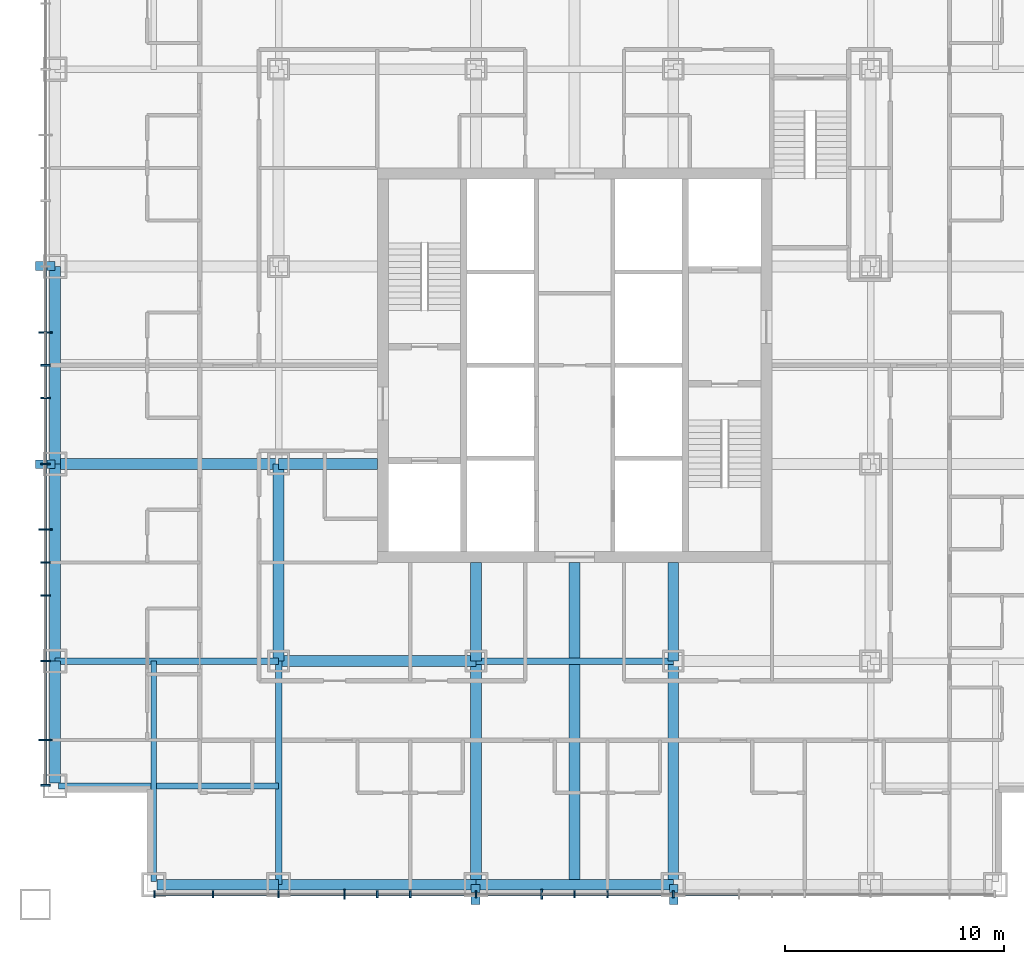
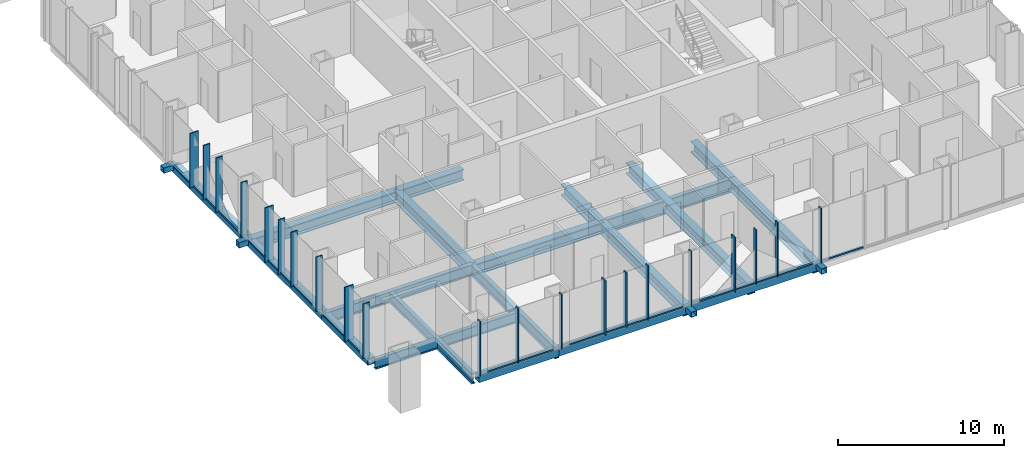
# One storey, part 2 of 16: 46 members, 20 beams, 2 elements without a shape of their own.
"""IFC4 building model written with IfcOpenShell, lengths in metres."""

from ifc_helpers import new_model, si_unit, direction, frame, origin, origin_2d, place, context, subcontext, project, spatial, rectangle, hollow_rectangle, i_section, extrude, material, layer, layer_set, material_profile, profile_set, type_object, element, aggregate, save


model = new_model("IFC4")

# Units and contexts
model_context = context("Model", 3, precision=1e-05, world=origin(), true_north=direction((0.0, 1.0)))
body_context = subcontext(model_context, "Body", "Model", "MODEL_VIEW")
ifc_project = project(units=[si_unit("LENGTHUNIT", "METRE"), si_unit("AREAUNIT", "SQUARE_METRE"), si_unit("VOLUMEUNIT", "CUBIC_METRE"), si_unit("PLANEANGLEUNIT", "RADIAN"), si_unit("MASSUNIT", "GRAM", prefix="KILO")], contexts=[model_context])

# Site, building, storey
site_placement = place(None, origin())
site = spatial("IfcSite", under=ifc_project, at=site_placement, CompositionType="ELEMENT")
building_placement = place(site_placement, origin())
building = spatial("IfcBuilding", under=site, at=building_placement, Name="Malebo Sky Hospital", CompositionType="ELEMENT")
storey_placement = place(building_placement, frame((0.0, 0.0, 116.0)))
storey = spatial("IfcBuildingStorey", under=building, at=storey_placement, Name="L27", CompositionType="ELEMENT", Elevation=116.0)

# Curtain wall, members
ifc_material_1 = material(Name="Anodised aluminium, natural silver", Category="aluminium")
ifc_layer_1 = layer(ifc_material_1, 0.25)
ifc_layer_set_1 = layer_set([ifc_layer_1], Name="WARD CURTAIN WALL EAST AND WEST")
curtain_wall_type_1 = type_object("IfcCurtainWallType", Name="WARD CURTAIN WALL EAST AND WEST", PredefinedType="NOTDEFINED", material=ifc_layer_set_1)
curtain_wall_1_placement = place(storey_placement, origin())
curtain_wall_1 = element("IfcCurtainWall", 1, at=curtain_wall_1_placement, inside=storey, type_object=curtain_wall_type_1, Name="EW curtain wall W", PredefinedType="NOTDEFINED")
ifc_material_profile_1 = material_profile(ifc_material_1, rectangle(XDim=0.14990234375, YDim=0.10009765625, at=origin_2d()), Name="ALUMINIUM TRANSOM 150x100")
ifc_profile_set_1 = profile_set([ifc_material_profile_1], Name="Anodised aluminium, natural silver")
member_type_1 = type_object("IfcMemberType", Name="ALUMINIUM TRANSOM 150x100", PredefinedType="USERDEFINED", material=ifc_profile_set_1)
member_1_placement = place(storey_placement, frame((35.864990234375, 42.875, 0.050048828125), z_axis=(0.0, 1.0, 0.0), x_axis=(-1.0, 0.0, 0.0)))
member_1 = element("IfcMember", 2, at=member_1_placement, type_object=member_type_1, Name="Transom 1", ObjectType="TRANSOM", PredefinedType="USERDEFINED", context=body_context, shape_type="SweptSolid", body=[
    extrude(rectangle(XDim=0.14990234375, YDim=0.10009765625, at=origin_2d()), origin(), (0.0, 0.0, 1.0), 1.987548828125),
])
member_2_placement = place(storey_placement, frame((35.864990234375, 44.9375, 0.050048828125), z_axis=(0.0, 1.0, 0.0), x_axis=(-1.0, 0.0, 0.0)))
member_2 = element("IfcMember", 3, at=member_2_placement, type_object=member_type_1, Name="Transom 2", ObjectType="TRANSOM", PredefinedType="USERDEFINED", context=body_context, shape_type="SweptSolid", body=[
    extrude(rectangle(XDim=0.14990234375, YDim=0.10009765625, at=origin_2d()), origin(), (0.0, 0.0, 1.0), 3.52490234375),
])
member_3_placement = place(storey_placement, frame((35.864990234375, 48.53759765625, 0.050048828125), z_axis=(0.0, 1.0, 0.0), x_axis=(-1.0, 0.0, 0.0)))
member_3 = element("IfcMember", 4, at=member_3_placement, type_object=member_type_1, Name="Transom 3", ObjectType="TRANSOM", PredefinedType="USERDEFINED", context=body_context, shape_type="SweptSolid", body=[
    extrude(rectangle(XDim=0.14990234375, YDim=0.10009765625, at=origin_2d()), origin(), (0.0, 0.0, 1.0), 2.9248046875),
])
member_4_placement = place(storey_placement, frame((35.864990234375, 51.53759765625, 0.050048828125), z_axis=(0.0, 1.0, 0.0), x_axis=(-1.0, 0.0, 0.0)))
member_4 = element("IfcMember", 5, at=member_4_placement, type_object=member_type_1, Name="Transom 4", ObjectType="TRANSOM", PredefinedType="USERDEFINED", context=body_context, shape_type="SweptSolid", body=[
    extrude(rectangle(XDim=0.14990234375, YDim=0.10009765625, at=origin_2d()), origin(), (0.0, 0.0, 1.0), 1.4248046875),
])
member_5_placement = place(storey_placement, frame((35.864990234375, 53.03759765625, 0.050048828125), z_axis=(0.0, 1.0, 0.0), x_axis=(-1.0, 0.0, 0.0)))
member_5 = element("IfcMember", 6, at=member_5_placement, type_object=member_type_1, Name="Transom 5", ObjectType="TRANSOM", PredefinedType="USERDEFINED", context=body_context, shape_type="SweptSolid", body=[
    extrude(rectangle(XDim=0.14990234375, YDim=0.10009765625, at=origin_2d()), origin(), (0.0, 0.0, 1.0), 1.4248046875),
])
member_6_placement = place(storey_placement, frame((35.864990234375, 54.53759765625, 0.050048828125), z_axis=(0.0, 1.0, 0.0), x_axis=(-1.0, 0.0, 0.0)))
member_6 = element("IfcMember", 7, at=member_6_placement, type_object=member_type_1, Name="Transom 6", ObjectType="TRANSOM", PredefinedType="USERDEFINED", context=body_context, shape_type="SweptSolid", body=[
    extrude(rectangle(XDim=0.14990234375, YDim=0.10009765625, at=origin_2d()), origin(), (0.0, 0.0, 1.0), 2.9248046875),
])
member_7_placement = place(storey_placement, frame((35.864990234375, 57.53759765625, 0.050048828125), z_axis=(0.0, 1.0, 0.0), x_axis=(-1.0, 0.0, 0.0)))
member_7 = element("IfcMember", 8, at=member_7_placement, type_object=member_type_1, Name="Transom 7", ObjectType="TRANSOM", PredefinedType="USERDEFINED", context=body_context, shape_type="SweptSolid", body=[
    extrude(rectangle(XDim=0.14990234375, YDim=0.10009765625, at=origin_2d()), origin(), (0.0, 0.0, 1.0), 2.9248046875),
])
member_8_placement = place(storey_placement, frame((35.864990234375, 60.53759765625, 0.050048828125), z_axis=(0.0, 1.0, 0.0), x_axis=(-1.0, 0.0, 0.0)))
member_8 = element("IfcMember", 9, at=member_8_placement, type_object=member_type_1, Name="Transom 8", ObjectType="TRANSOM", PredefinedType="USERDEFINED", context=body_context, shape_type="SweptSolid", body=[
    extrude(rectangle(XDim=0.14990234375, YDim=0.10009765625, at=origin_2d()), origin(), (0.0, 0.0, 1.0), 1.4248046875),
])
member_9_placement = place(storey_placement, frame((35.864990234375, 62.03759765625, 0.050048828125), z_axis=(0.0, 1.0, 0.0), x_axis=(-1.0, 0.0, 0.0)))
member_9 = element("IfcMember", 10, at=member_9_placement, type_object=member_type_1, Name="Transom 9", ObjectType="TRANSOM", PredefinedType="USERDEFINED", context=body_context, shape_type="SweptSolid", body=[
    extrude(rectangle(XDim=0.14990234375, YDim=0.10009765625, at=origin_2d()), origin(), (0.0, 0.0, 1.0), 1.4248046875),
])
member_10_placement = place(storey_placement, frame((35.864990234375, 63.53759765625, 0.050048828125), z_axis=(0.0, 1.0, 0.0), x_axis=(-1.0, 0.0, 0.0)))
member_10 = element("IfcMember", 11, at=member_10_placement, type_object=member_type_1, Name="Transom 10", ObjectType="TRANSOM", PredefinedType="USERDEFINED", context=body_context, shape_type="SweptSolid", body=[
    extrude(rectangle(XDim=0.14990234375, YDim=0.10009765625, at=origin_2d()), origin(), (0.0, 0.0, 1.0), 2.9248046875),
])

ifc_layer_2 = layer(ifc_material_1, 0.25)
ifc_layer_set_2 = layer_set([ifc_layer_2], Name="WARD CURTAIN WALL NORTH AND SOUTH")
curtain_wall_type_2 = type_object("IfcCurtainWallType", Name="WARD CURTAIN WALL NORTH AND SOUTH", PredefinedType="NOTDEFINED", material=ifc_layer_set_2)
curtain_wall_2_placement = place(storey_placement, origin())
curtain_wall_2 = element("IfcCurtainWall", 12, at=curtain_wall_2_placement, inside=storey, type_object=curtain_wall_type_2, Name="NS curtain wall S", PredefinedType="NOTDEFINED")
member_11_placement = place(storey_placement, frame((67.46240234375, 37.864990234375, 0.050048828125), z_axis=(-1.0, 0.0, 0.0), x_axis=(0.0, -1.0, 0.0)))
member_11 = element("IfcMember", 13, at=member_11_placement, type_object=member_type_1, Name="Transom 6", ObjectType="TRANSOM", PredefinedType="USERDEFINED", context=body_context, shape_type="SweptSolid", body=[
    extrude(rectangle(XDim=0.14990234375, YDim=0.10009765625, at=origin_2d()), origin(), (0.0, 0.0, 1.0), 2.9248046875),
])
member_12_placement = place(storey_placement, frame((64.46240234375, 37.864990234375, 0.050048828125), z_axis=(-1.0, 0.0, 0.0), x_axis=(0.0, -1.0, 0.0)))
member_12 = element("IfcMember", 14, at=member_12_placement, type_object=member_type_1, Name="Transom 7", ObjectType="TRANSOM", PredefinedType="USERDEFINED", context=body_context, shape_type="SweptSolid", body=[
    extrude(rectangle(XDim=0.14990234375, YDim=0.10009765625, at=origin_2d()), origin(), (0.0, 0.0, 1.0), 2.9248046875),
])
member_13_placement = place(storey_placement, frame((61.46240234375, 37.864990234375, 0.050048828125), z_axis=(-1.0, 0.0, 0.0), x_axis=(0.0, -1.0, 0.0)))
member_13 = element("IfcMember", 15, at=member_13_placement, type_object=member_type_1, Name="Transom 8", ObjectType="TRANSOM", PredefinedType="USERDEFINED", context=body_context, shape_type="SweptSolid", body=[
    extrude(rectangle(XDim=0.14990234375, YDim=0.10009765625, at=origin_2d()), origin(), (0.0, 0.0, 1.0), 1.4248046875),
])
member_14_placement = place(storey_placement, frame((59.96240234375, 37.864990234375, 0.050048828125), z_axis=(-1.0, 0.0, 0.0), x_axis=(0.0, -1.0, 0.0)))
member_14 = element("IfcMember", 16, at=member_14_placement, type_object=member_type_1, Name="Transom 9", ObjectType="TRANSOM", PredefinedType="USERDEFINED", context=body_context, shape_type="SweptSolid", body=[
    extrude(rectangle(XDim=0.14990234375, YDim=0.10009765625, at=origin_2d()), origin(), (0.0, 0.0, 1.0), 1.4248046875),
])
member_15_placement = place(storey_placement, frame((58.46240234375, 37.864990234375, 0.050048828125), z_axis=(-1.0, 0.0, 0.0), x_axis=(0.0, -1.0, 0.0)))
member_15 = element("IfcMember", 17, at=member_15_placement, type_object=member_type_1, Name="Transom 10", ObjectType="TRANSOM", PredefinedType="USERDEFINED", context=body_context, shape_type="SweptSolid", body=[
    extrude(rectangle(XDim=0.14990234375, YDim=0.10009765625, at=origin_2d()), origin(), (0.0, 0.0, 1.0), 2.9248046875),
])
member_16_placement = place(storey_placement, frame((55.46240234375, 37.864990234375, 0.050048828125), z_axis=(-1.0, 0.0, 0.0), x_axis=(0.0, -1.0, 0.0)))
member_16 = element("IfcMember", 18, at=member_16_placement, type_object=member_type_1, Name="Transom 11", ObjectType="TRANSOM", PredefinedType="USERDEFINED", context=body_context, shape_type="SweptSolid", body=[
    extrude(rectangle(XDim=0.14990234375, YDim=0.10009765625, at=origin_2d()), origin(), (0.0, 0.0, 1.0), 2.9248046875),
])
member_17_placement = place(storey_placement, frame((52.46240234375, 37.864990234375, 0.050048828125), z_axis=(-1.0, 0.0, 0.0), x_axis=(0.0, -1.0, 0.0)))
member_17 = element("IfcMember", 19, at=member_17_placement, type_object=member_type_1, Name="Transom 12", ObjectType="TRANSOM", PredefinedType="USERDEFINED", context=body_context, shape_type="SweptSolid", body=[
    extrude(rectangle(XDim=0.14990234375, YDim=0.10009765625, at=origin_2d()), origin(), (0.0, 0.0, 1.0), 1.4248046875),
])
member_18_placement = place(storey_placement, frame((50.96240234375, 37.864990234375, 0.050048828125), z_axis=(-1.0, 0.0, 0.0), x_axis=(0.0, -1.0, 0.0)))
member_18 = element("IfcMember", 20, at=member_18_placement, type_object=member_type_1, Name="Transom 13", ObjectType="TRANSOM", PredefinedType="USERDEFINED", context=body_context, shape_type="SweptSolid", body=[
    extrude(rectangle(XDim=0.14990234375, YDim=0.10009765625, at=origin_2d()), origin(), (0.0, 0.0, 1.0), 1.4248046875),
])
member_19_placement = place(storey_placement, frame((49.46240234375, 37.864990234375, 0.050048828125), z_axis=(-1.0, 0.0, 0.0), x_axis=(0.0, -1.0, 0.0)))
member_19 = element("IfcMember", 21, at=member_19_placement, type_object=member_type_1, Name="Transom 14", ObjectType="TRANSOM", PredefinedType="USERDEFINED", context=body_context, shape_type="SweptSolid", body=[
    extrude(rectangle(XDim=0.14990234375, YDim=0.10009765625, at=origin_2d()), origin(), (0.0, 0.0, 1.0), 2.9248046875),
])
member_20_placement = place(storey_placement, frame((46.46240234375, 37.864990234375, 0.050048828125), z_axis=(-1.0, 0.0, 0.0), x_axis=(0.0, -1.0, 0.0)))
member_20 = element("IfcMember", 22, at=member_20_placement, type_object=member_type_1, Name="Transom 15", ObjectType="TRANSOM", PredefinedType="USERDEFINED", context=body_context, shape_type="SweptSolid", body=[
    extrude(rectangle(XDim=0.14990234375, YDim=0.10009765625, at=origin_2d()), origin(), (0.0, 0.0, 1.0), 2.9248046875),
])
member_21_placement = place(storey_placement, frame((43.46240234375, 37.864990234375, 0.050048828125), z_axis=(-1.0, 0.0, 0.0), x_axis=(0.0, -1.0, 0.0)))
member_21 = element("IfcMember", 23, at=member_21_placement, type_object=member_type_1, Name="Transom 16", ObjectType="TRANSOM", PredefinedType="USERDEFINED", context=body_context, shape_type="SweptSolid", body=[
    extrude(rectangle(XDim=0.14990234375, YDim=0.10009765625, at=origin_2d()), origin(), (0.0, 0.0, 1.0), 2.58740234375),
])

# Members
ifc_material_2 = material(Name="Steel S355", Category="steel")
ifc_material_profile_2 = material_profile(ifc_material_2, hollow_rectangle(XDim=0.39990234375, YDim=0.39990234375, WallThickness=0.02001953125, at=origin_2d()), Name="SHS 400x20")
ifc_profile_set_2 = profile_set([ifc_material_profile_2], Name="Steel S355")
member_type_2 = type_object("IfcMemberType", Name="BRACE STRUT SHS 400x20", PredefinedType="STRUT", material=ifc_profile_set_2)
for number, where, z_axis, x_axis, name in (
    (24, (55.48046875, 37.39990234375, -0.39990234375), (0.0, 1.0, 0.0), (-1.0, 0.0, 0.0), "Brace strut BS1 L27"),
    (25, (64.51953125, 37.39990234375, -0.39990234375), (0.0, 1.0, 0.0), (-1.0, 0.0, 0.0), "Brace strut BS2 L27"),
    (26, (35.39990234375, 66.51953125, -0.39990234375), (1.0, 0.0, 0.0), (0.0, 1.0, 0.0), "Brace strut BW1 L27"),
    (27, (35.39990234375, 57.48046875, -0.39990234375), (1.0, 0.0, 0.0), (0.0, 1.0, 0.0), "Brace strut BW2 L27"),
):
    element("IfcMember", number, at=place(storey_placement, frame(where, z_axis=z_axis, x_axis=x_axis)), inside=storey, type_object=member_type_2, Name=name, PredefinedType="STRUT", context=body_context, shape_type="SweptSolid", body=[
        extrude(hollow_rectangle(XDim=0.39990234375, YDim=0.39990234375, WallThickness=0.02001953125, at=origin_2d()), origin(), (0.0, 0.0, 1.0), 0.900146484375),
    ])

# Member
ifc_material_profile_3 = material_profile(ifc_material_1, rectangle(XDim=0.074951171875, YDim=0.300048828125, at=origin_2d()), Name="CW1 ALUMINIUM FIN MULLION 75x300")
ifc_profile_set_3 = profile_set([ifc_material_profile_3], Name="Anodised aluminium, natural silver")
member_type_3 = type_object("IfcMemberType", Name="CW1 ALUMINIUM FIN MULLION 75x300", PredefinedType="MULLION", material=ifc_profile_set_3)
member_22_placement = place(storey_placement, frame((64.5, 37.864990234375, 0.0), z_axis=(0.0, 0.0, 1.0), x_axis=(-1.0, 0.0, 0.0)))
member_22 = element("IfcMember", 28, at=member_22_placement, type_object=member_type_3, Name="Fin mullion 7", PredefinedType="MULLION", context=body_context, shape_type="SweptSolid", body=[
    extrude(rectangle(XDim=0.074951171875, YDim=0.300048828125, at=origin_2d()), origin(), (0.0, 0.0, 1.0), 4.0),
])

member_23_placement = place(storey_placement, frame((61.5, 37.864990234375, 0.0), z_axis=(0.0, 0.0, 1.0), x_axis=(-1.0, 0.0, 0.0)))
member_23 = element("IfcMember", 29, at=member_23_placement, type_object=member_type_3, Name="Fin mullion 8", PredefinedType="MULLION", context=body_context, shape_type="SweptSolid", body=[
    extrude(rectangle(XDim=0.074951171875, YDim=0.300048828125, at=origin_2d()), origin(), (0.0, 0.0, 1.0), 4.0),
])

member_24_placement = place(storey_placement, frame((60.0, 37.864990234375, 0.0), z_axis=(0.0, 0.0, 1.0), x_axis=(-1.0, 0.0, 0.0)))
member_24 = element("IfcMember", 30, at=member_24_placement, type_object=member_type_3, Name="Fin mullion 9", PredefinedType="MULLION", context=body_context, shape_type="SweptSolid", body=[
    extrude(rectangle(XDim=0.074951171875, YDim=0.300048828125, at=origin_2d()), origin(), (0.0, 0.0, 1.0), 4.0),
])

member_25_placement = place(storey_placement, frame((55.5, 37.864990234375, 0.0), z_axis=(0.0, 0.0, 1.0), x_axis=(-1.0, 0.0, 0.0)))
member_25 = element("IfcMember", 31, at=member_25_placement, type_object=member_type_3, Name="Fin mullion 11", PredefinedType="MULLION", context=body_context, shape_type="SweptSolid", body=[
    extrude(rectangle(XDim=0.074951171875, YDim=0.300048828125, at=origin_2d()), origin(), (0.0, 0.0, 1.0), 4.0),
])

member_26_placement = place(storey_placement, frame((52.5, 37.864990234375, 0.0), z_axis=(0.0, 0.0, 1.0), x_axis=(-1.0, 0.0, 0.0)))
member_26 = element("IfcMember", 32, at=member_26_placement, type_object=member_type_3, Name="Fin mullion 12", PredefinedType="MULLION", context=body_context, shape_type="SweptSolid", body=[
    extrude(rectangle(XDim=0.074951171875, YDim=0.300048828125, at=origin_2d()), origin(), (0.0, 0.0, 1.0), 4.0),
])

member_27_placement = place(storey_placement, frame((51.0, 37.864990234375, 0.0), z_axis=(0.0, 0.0, 1.0), x_axis=(-1.0, 0.0, 0.0)))
member_27 = element("IfcMember", 33, at=member_27_placement, type_object=member_type_3, Name="Fin mullion 13", PredefinedType="MULLION", context=body_context, shape_type="SweptSolid", body=[
    extrude(rectangle(XDim=0.074951171875, YDim=0.300048828125, at=origin_2d()), origin(), (0.0, 0.0, 1.0), 4.0),
])

member_28_placement = place(storey_placement, frame((46.5, 37.864990234375, 0.0), z_axis=(0.0, 0.0, 1.0), x_axis=(-1.0, 0.0, 0.0)))
member_28 = element("IfcMember", 34, at=member_28_placement, type_object=member_type_3, Name="Fin mullion 15", PredefinedType="MULLION", context=body_context, shape_type="SweptSolid", body=[
    extrude(rectangle(XDim=0.074951171875, YDim=0.300048828125, at=origin_2d()), origin(), (0.0, 0.0, 1.0), 4.0),
])

member_29_placement = place(storey_placement, frame((43.5, 37.864990234375, 0.0), z_axis=(0.0, 0.0, 1.0), x_axis=(-1.0, 0.0, 0.0)))
member_29 = element("IfcMember", 35, at=member_29_placement, type_object=member_type_3, Name="Fin mullion 16", PredefinedType="MULLION", context=body_context, shape_type="SweptSolid", body=[
    extrude(rectangle(XDim=0.074951171875, YDim=0.300048828125, at=origin_2d()), origin(), (0.0, 0.0, 1.0), 4.0),
])

member_30_placement = place(storey_placement, frame((40.83740234375, 37.864990234375, 0.0), z_axis=(0.0, 0.0, 1.0), x_axis=(-1.0, 0.0, 0.0)))
member_30 = element("IfcMember", 36, at=member_30_placement, type_object=member_type_3, Name="Fin mullion 17", PredefinedType="MULLION", context=body_context, shape_type="SweptSolid", body=[
    extrude(rectangle(XDim=0.074951171875, YDim=0.300048828125, at=origin_2d()), origin(), (0.0, 0.0, 1.0), 4.0),
])

ifc_material_profile_4 = material_profile(ifc_material_1, rectangle(XDim=0.074951171875, YDim=0.449951171875, at=origin_2d()), Name="CW1 ALUMINIUM FIN MULLION 75x450")
ifc_profile_set_4 = profile_set([ifc_material_profile_4], Name="Anodised aluminium, natural silver")
member_type_4 = type_object("IfcMemberType", Name="CW1 ALUMINIUM FIN MULLION 75x450", PredefinedType="MULLION", material=ifc_profile_set_4)
member_31_placement = place(storey_placement, frame((58.5, 37.864990234375, 0.0), z_axis=(0.0, 0.0, 1.0), x_axis=(-1.0, 0.0, 0.0)))
member_31 = element("IfcMember", 37, at=member_31_placement, type_object=member_type_4, Name="Fin mullion 10", PredefinedType="MULLION", context=body_context, shape_type="SweptSolid", body=[
    extrude(rectangle(XDim=0.074951171875, YDim=0.449951171875, at=origin_2d()), origin(), (0.0, 0.0, 1.0), 4.0),
])

member_32_placement = place(storey_placement, frame((49.5, 37.864990234375, 0.0), z_axis=(0.0, 0.0, 1.0), x_axis=(-1.0, 0.0, 0.0)))
member_32 = element("IfcMember", 38, at=member_32_placement, type_object=member_type_4, Name="Fin mullion 14", PredefinedType="MULLION", context=body_context, shape_type="SweptSolid", body=[
    extrude(rectangle(XDim=0.074951171875, YDim=0.449951171875, at=origin_2d()), origin(), (0.0, 0.0, 1.0), 4.0),
])

aggregate(curtain_wall_2, [member_22, member_23, member_24, member_31, member_25, member_26, member_27, member_32, member_28, member_29, member_30, member_11, member_12, member_13, member_14, member_15, member_16, member_17, member_18, member_19, member_20, member_21])

ifc_material_profile_5 = material_profile(ifc_material_1, rectangle(XDim=0.074951171875, YDim=0.449951171875, at=origin_2d()), Name="CW2 ALUMINIUM FIN MULLION 75x450")
ifc_profile_set_5 = profile_set([ifc_material_profile_5], Name="Anodised aluminium, natural silver")
member_type_5 = type_object("IfcMemberType", Name="CW2 ALUMINIUM FIN MULLION 75x450", PredefinedType="MULLION", material=ifc_profile_set_5)
member_33_placement = place(storey_placement, frame((35.864990234375, 42.83740234375, 0.0), z_axis=(0.0, 0.0, 1.0), x_axis=(0.0, 1.0, 0.0)))
member_33 = element("IfcMember", 39, at=member_33_placement, type_object=member_type_5, Name="Fin mullion 1", PredefinedType="MULLION", context=body_context, shape_type="SweptSolid", body=[
    extrude(rectangle(XDim=0.074951171875, YDim=0.449951171875, at=origin_2d()), origin(), (0.0, 0.0, 1.0), 4.0),
])

member_34_placement = place(storey_placement, frame((35.864990234375, 48.5, 0.0), z_axis=(0.0, 0.0, 1.0), x_axis=(0.0, 1.0, 0.0)))
member_34 = element("IfcMember", 40, at=member_34_placement, type_object=member_type_5, Name="Fin mullion 3", PredefinedType="MULLION", context=body_context, shape_type="SweptSolid", body=[
    extrude(rectangle(XDim=0.074951171875, YDim=0.449951171875, at=origin_2d()), origin(), (0.0, 0.0, 1.0), 4.0),
])

member_35_placement = place(storey_placement, frame((35.864990234375, 51.5, 0.0), z_axis=(0.0, 0.0, 1.0), x_axis=(0.0, 1.0, 0.0)))
member_35 = element("IfcMember", 41, at=member_35_placement, type_object=member_type_5, Name="Fin mullion 4", PredefinedType="MULLION", context=body_context, shape_type="SweptSolid", body=[
    extrude(rectangle(XDim=0.074951171875, YDim=0.449951171875, at=origin_2d()), origin(), (0.0, 0.0, 1.0), 4.0),
])

member_36_placement = place(storey_placement, frame((35.864990234375, 53.0, 0.0), z_axis=(0.0, 0.0, 1.0), x_axis=(0.0, 1.0, 0.0)))
member_36 = element("IfcMember", 42, at=member_36_placement, type_object=member_type_5, Name="Fin mullion 5", PredefinedType="MULLION", context=body_context, shape_type="SweptSolid", body=[
    extrude(rectangle(XDim=0.074951171875, YDim=0.449951171875, at=origin_2d()), origin(), (0.0, 0.0, 1.0), 4.0),
])

member_37_placement = place(storey_placement, frame((35.864990234375, 57.5, 0.0), z_axis=(0.0, 0.0, 1.0), x_axis=(0.0, 1.0, 0.0)))
member_37 = element("IfcMember", 43, at=member_37_placement, type_object=member_type_5, Name="Fin mullion 7", PredefinedType="MULLION", context=body_context, shape_type="SweptSolid", body=[
    extrude(rectangle(XDim=0.074951171875, YDim=0.449951171875, at=origin_2d()), origin(), (0.0, 0.0, 1.0), 4.0),
])

member_38_placement = place(storey_placement, frame((35.864990234375, 60.5, 0.0), z_axis=(0.0, 0.0, 1.0), x_axis=(0.0, 1.0, 0.0)))
member_38 = element("IfcMember", 44, at=member_38_placement, type_object=member_type_5, Name="Fin mullion 8", PredefinedType="MULLION", context=body_context, shape_type="SweptSolid", body=[
    extrude(rectangle(XDim=0.074951171875, YDim=0.449951171875, at=origin_2d()), origin(), (0.0, 0.0, 1.0), 4.0),
])

member_39_placement = place(storey_placement, frame((35.864990234375, 62.0, 0.0), z_axis=(0.0, 0.0, 1.0), x_axis=(0.0, 1.0, 0.0)))
member_39 = element("IfcMember", 45, at=member_39_placement, type_object=member_type_5, Name="Fin mullion 9", PredefinedType="MULLION", context=body_context, shape_type="SweptSolid", body=[
    extrude(rectangle(XDim=0.074951171875, YDim=0.449951171875, at=origin_2d()), origin(), (0.0, 0.0, 1.0), 4.0),
])

ifc_material_profile_6 = material_profile(ifc_material_1, rectangle(XDim=0.074951171875, YDim=0.60009765625, at=origin_2d()), Name="CW2 ALUMINIUM FIN MULLION 75x600")
ifc_profile_set_6 = profile_set([ifc_material_profile_6], Name="Anodised aluminium, natural silver")
member_type_6 = type_object("IfcMemberType", Name="CW2 ALUMINIUM FIN MULLION 75x600", PredefinedType="MULLION", material=ifc_profile_set_6)
member_40_placement = place(storey_placement, frame((35.864990234375, 44.89990234375, 0.0), z_axis=(0.0, 0.0, 1.0), x_axis=(0.0, 1.0, 0.0)))
member_40 = element("IfcMember", 46, at=member_40_placement, type_object=member_type_6, Name="Fin mullion 2", PredefinedType="MULLION", context=body_context, shape_type="SweptSolid", body=[
    extrude(rectangle(XDim=0.074951171875, YDim=0.60009765625, at=origin_2d()), origin(), (0.0, 0.0, 1.0), 4.0),
])

member_41_placement = place(storey_placement, frame((35.864990234375, 54.5, 0.0), z_axis=(0.0, 0.0, 1.0), x_axis=(0.0, 1.0, 0.0)))
member_41 = element("IfcMember", 47, at=member_41_placement, type_object=member_type_6, Name="Fin mullion 6", PredefinedType="MULLION", context=body_context, shape_type="SweptSolid", body=[
    extrude(rectangle(XDim=0.074951171875, YDim=0.60009765625, at=origin_2d()), origin(), (0.0, 0.0, 1.0), 4.0),
])

member_42_placement = place(storey_placement, frame((35.864990234375, 63.5, 0.0), z_axis=(0.0, 0.0, 1.0), x_axis=(0.0, 1.0, 0.0)))
member_42 = element("IfcMember", 48, at=member_42_placement, type_object=member_type_6, Name="Fin mullion 10", PredefinedType="MULLION", context=body_context, shape_type="SweptSolid", body=[
    extrude(rectangle(XDim=0.074951171875, YDim=0.60009765625, at=origin_2d()), origin(), (0.0, 0.0, 1.0), 4.0),
])

aggregate(curtain_wall_1, [member_33, member_40, member_34, member_35, member_36, member_41, member_37, member_38, member_39, member_42, member_1, member_2, member_3, member_4, member_5, member_6, member_7, member_8, member_9, member_10])

# Beams
ifc_material_3 = material(Name="Steel S460", Category="steel")
ifc_material_profile_7 = material_profile(ifc_material_3, hollow_rectangle(XDim=0.5, YDim=0.5, WallThickness=0.030029296875, at=origin_2d()), Name="BOX 500x500x30")
ifc_profile_set_7 = profile_set([ifc_material_profile_7], Name="Steel S460")
beam_type_1 = type_object("IfcBeamType", Name="EDGE BEAM BOX 500x500x30", PredefinedType="BEAM", material=ifc_profile_set_7)
beam_1_placement = place(storey_placement, frame((36.300048828125, 42.949951171875, -0.5), z_axis=(0.0, 1.0, 0.0), x_axis=(-1.0, 0.0, 0.0)))
element("IfcBeam", 49, at=beam_1_placement, inside=storey, type_object=beam_type_1, Name="Beam 000 L27", PredefinedType="BEAM", context=body_context, shape_type="SweptSolid", body=[
    extrude(hollow_rectangle(XDim=0.5, YDim=0.5, WallThickness=0.030029296875, at=origin_2d()), origin(), (0.0, 0.0, 1.0), 5.550048828125),
])
for number, where, z_axis, x_axis, name in (
    (50, (36.300048828125, 48.5, -0.5), (0.0, 1.0, 0.0), (-1.0, 0.0, 0.0), "Beam 001 L27"),
    (51, (36.300048828125, 57.5, -0.5), (0.0, 1.0, 0.0), (-1.0, 0.0, 0.0), "Beam 002 L27"),
):
    element("IfcBeam", number, at=place(storey_placement, frame(where, z_axis=z_axis, x_axis=x_axis)), inside=storey, type_object=beam_type_1, Name=name, PredefinedType="BEAM", context=body_context, shape_type="SweptSolid", body=[
        extrude(hollow_rectangle(XDim=0.5, YDim=0.5, WallThickness=0.030029296875, at=origin_2d()), origin(), (0.0, 0.0, 1.0), 9.0),
    ])
beam_2_placement = place(storey_placement, frame((40.949951171875, 38.300048828125, -0.5), z_axis=(1.0, 0.0, 0.0), x_axis=(0.0, 1.0, 0.0)))
element("IfcBeam", 52, at=beam_2_placement, inside=storey, type_object=beam_type_1, Name="Beam 034 L27", PredefinedType="BEAM", context=body_context, shape_type="SweptSolid", body=[
    extrude(hollow_rectangle(XDim=0.5, YDim=0.5, WallThickness=0.030029296875, at=origin_2d()), origin(), (0.0, 0.0, 1.0), 5.550048828125),
])
for number, where, z_axis, x_axis, name in (
    (53, (46.5, 38.300048828125, -0.5), (1.0, 0.0, 0.0), (0.0, 1.0, 0.0), "Beam 035 L27"),
    (54, (55.5, 38.300048828125, -0.5), (1.0, 0.0, 0.0), (0.0, 1.0, 0.0), "Beam 036 L27"),
):
    element("IfcBeam", number, at=place(storey_placement, frame(where, z_axis=z_axis, x_axis=x_axis)), inside=storey, type_object=beam_type_1, Name=name, PredefinedType="BEAM", context=body_context, shape_type="SweptSolid", body=[
        extrude(hollow_rectangle(XDim=0.5, YDim=0.5, WallThickness=0.030029296875, at=origin_2d()), origin(), (0.0, 0.0, 1.0), 9.0),
    ])
ifc_material_profile_8 = material_profile(ifc_material_2, i_section(OverallWidth=0.262939453125, OverallDepth=0.7529296875, WebThickness=0.011474609375, FlangeThickness=0.01708984375, FilletRadius=0.01708984375, at=origin_2d()), Name="IPE 750x137")
ifc_profile_set_8 = profile_set([ifc_material_profile_8], Name="Steel S355")
beam_type_2 = type_object("IfcBeamType", Name="FLOOR BEAM IPE 750x137", PredefinedType="BEAM", material=ifc_profile_set_8)
for number, where, z_axis, x_axis, name in (
    (55, (40.800048828125, 38.449951171875, -0.62646484375), (0.0, 1.0, 0.0), (-1.0, 0.0, 0.0), "Beam 005 L27"),
    (56, (36.449951171875, 42.800048828125, -0.62646484375), (1.0, 0.0, 0.0), (0.0, 1.0, 0.0), "Beam 039 L27"),
):
    element("IfcBeam", number, at=place(storey_placement, frame(where, z_axis=z_axis, x_axis=x_axis)), inside=storey, type_object=beam_type_2, Name=name, PredefinedType="BEAM", context=body_context, shape_type="SweptSolid", body=[
        extrude(i_section(OverallWidth=0.262939453125, OverallDepth=0.7529296875, WebThickness=0.011474609375, FlangeThickness=0.01708984375, FilletRadius=0.01708984375, at=origin_2d()), origin(), (0.0, 0.0, 1.0), 10.050048828125),
    ])
ifc_material_profile_9 = material_profile(ifc_material_2, i_section(OverallWidth=0.5, OverallDepth=0.800048828125, WebThickness=0.030029296875, FlangeThickness=0.050048828125, at=origin_2d()), Name="PG 800x500x30x50")
ifc_profile_set_9 = profile_set([ifc_material_profile_9], Name="Steel S355")
beam_type_3 = type_object("IfcBeamType", Name="FLOOR BEAM PG 800x500x30x50", PredefinedType="BEAM", material=ifc_profile_set_9)
beam_3_placement = place(storey_placement, frame((46.5, 48.5, -0.64990234375), z_axis=(0.0, 1.0, 0.0), x_axis=(-1.0, 0.0, 0.0)))
element("IfcBeam", 57, at=beam_3_placement, inside=storey, type_object=beam_type_3, Name="Beam 008 L27", PredefinedType="BEAM", context=body_context, shape_type="SweptSolid", body=[
    extrude(i_section(OverallWidth=0.5, OverallDepth=0.800048828125, WebThickness=0.030029296875, FlangeThickness=0.050048828125, at=origin_2d()), origin(), (0.0, 0.0, 1.0), 9.0),
])
beam_4_placement = place(storey_placement, frame((55.5, 38.300048828125, -0.64990234375), z_axis=(0.0, 1.0, 0.0), x_axis=(-1.0, 0.0, 0.0)))
element("IfcBeam", 58, at=beam_4_placement, inside=storey, type_object=beam_type_3, Name="Beam 012 L27", PredefinedType="BEAM", context=body_context, shape_type="SweptSolid", body=[
    extrude(i_section(OverallWidth=0.5, OverallDepth=0.800048828125, WebThickness=0.030029296875, FlangeThickness=0.050048828125, at=origin_2d()), origin(), (0.0, 0.0, 1.0), 10.199951171875),
])
beam_5_placement = place(storey_placement, frame((55.5, 48.5, -0.64990234375), z_axis=(0.0, 1.0, 0.0), x_axis=(-1.0, 0.0, 0.0)))
element("IfcBeam", 59, at=beam_5_placement, inside=storey, type_object=beam_type_3, Name="Beam 013 L27", PredefinedType="BEAM", context=body_context, shape_type="SweptSolid", body=[
    extrude(i_section(OverallWidth=0.5, OverallDepth=0.800048828125, WebThickness=0.030029296875, FlangeThickness=0.050048828125, at=origin_2d()), origin(), (0.0, 0.0, 1.0), 4.5),
])
beam_6_placement = place(storey_placement, frame((60.0, 38.300048828125, -0.64990234375), z_axis=(0.0, 1.0, 0.0), x_axis=(-1.0, 0.0, 0.0)))
element("IfcBeam", 60, at=beam_6_placement, inside=storey, type_object=beam_type_3, Name="Beam 016 L27", PredefinedType="BEAM", context=body_context, shape_type="SweptSolid", body=[
    extrude(i_section(OverallWidth=0.5, OverallDepth=0.800048828125, WebThickness=0.030029296875, FlangeThickness=0.050048828125, at=origin_2d()), origin(), (0.0, 0.0, 1.0), 14.699951171875),
])
beam_7_placement = place(storey_placement, frame((64.5, 38.300048828125, -0.64990234375), z_axis=(0.0, 1.0, 0.0), x_axis=(-1.0, 0.0, 0.0)))
element("IfcBeam", 61, at=beam_7_placement, inside=storey, type_object=beam_type_3, Name="Beam 018 L27", PredefinedType="BEAM", context=body_context, shape_type="SweptSolid", body=[
    extrude(i_section(OverallWidth=0.5, OverallDepth=0.800048828125, WebThickness=0.030029296875, FlangeThickness=0.050048828125, at=origin_2d()), origin(), (0.0, 0.0, 1.0), 10.199951171875),
])
beam_8_placement = place(storey_placement, frame((64.5, 48.5, -0.64990234375), z_axis=(0.0, 1.0, 0.0), x_axis=(-1.0, 0.0, 0.0)))
element("IfcBeam", 62, at=beam_8_placement, inside=storey, type_object=beam_type_3, Name="Beam 019 L27", PredefinedType="BEAM", context=body_context, shape_type="SweptSolid", body=[
    extrude(i_section(OverallWidth=0.5, OverallDepth=0.800048828125, WebThickness=0.030029296875, FlangeThickness=0.050048828125, at=origin_2d()), origin(), (0.0, 0.0, 1.0), 4.5),
])
beam_9_placement = place(storey_placement, frame((46.5, 48.5, -0.64990234375), z_axis=(1.0, 0.0, 0.0), x_axis=(0.0, 1.0, 0.0)))
element("IfcBeam", 63, at=beam_9_placement, inside=storey, type_object=beam_type_3, Name="Beam 042 L27", PredefinedType="BEAM", context=body_context, shape_type="SweptSolid", body=[
    extrude(i_section(OverallWidth=0.5, OverallDepth=0.800048828125, WebThickness=0.030029296875, FlangeThickness=0.050048828125, at=origin_2d()), origin(), (0.0, 0.0, 1.0), 9.0),
])
beam_10_placement = place(storey_placement, frame((36.300048828125, 57.5, -0.64990234375), z_axis=(1.0, 0.0, 0.0), x_axis=(0.0, 1.0, 0.0)))
element("IfcBeam", 64, at=beam_10_placement, inside=storey, type_object=beam_type_3, Name="Beam 046 L27", PredefinedType="BEAM", context=body_context, shape_type="SweptSolid", body=[
    extrude(i_section(OverallWidth=0.5, OverallDepth=0.800048828125, WebThickness=0.030029296875, FlangeThickness=0.050048828125, at=origin_2d()), origin(), (0.0, 0.0, 1.0), 10.199951171875),
])
beam_11_placement = place(storey_placement, frame((46.5, 57.5, -0.64990234375), z_axis=(1.0, 0.0, 0.0), x_axis=(0.0, 1.0, 0.0)))
element("IfcBeam", 65, at=beam_11_placement, inside=storey, type_object=beam_type_3, Name="Beam 047 L27", PredefinedType="BEAM", context=body_context, shape_type="SweptSolid", body=[
    extrude(i_section(OverallWidth=0.5, OverallDepth=0.800048828125, WebThickness=0.030029296875, FlangeThickness=0.050048828125, at=origin_2d()), origin(), (0.0, 0.0, 1.0), 4.5),
])
ifc_material_profile_10 = material_profile(ifc_material_2, i_section(OverallWidth=0.300048828125, OverallDepth=0.800048828125, WebThickness=0.017578125, FlangeThickness=0.032958984375, FilletRadius=0.030029296875, at=origin_2d()), Name="HEB 800")
ifc_profile_set_10 = profile_set([ifc_material_profile_10], Name="Steel S355")
beam_type_4 = type_object("IfcBeamType", Name="FLOOR GIRDER HEB 800", PredefinedType="BEAM", material=ifc_profile_set_10)
for number, where, z_axis, x_axis, name in (
    (66, (46.5, 38.300048828125, -0.64990234375), (0.0, 1.0, 0.0), (-1.0, 0.0, 0.0), "Beam 007 L27"),
    (67, (36.300048828125, 48.5, -0.64990234375), (1.0, 0.0, 0.0), (0.0, 1.0, 0.0), "Beam 041 L27"),
):
    element("IfcBeam", number, at=place(storey_placement, frame(where, z_axis=z_axis, x_axis=x_axis)), inside=storey, type_object=beam_type_4, Name=name, PredefinedType="BEAM", context=body_context, shape_type="SweptSolid", body=[
        extrude(i_section(OverallWidth=0.300048828125, OverallDepth=0.800048828125, WebThickness=0.017578125, FlangeThickness=0.032958984375, FilletRadius=0.030029296875, at=origin_2d()), origin(), (0.0, 0.0, 1.0), 10.199951171875),
    ])
ifc_material_profile_11 = material_profile(ifc_material_2, i_section(OverallWidth=0.300048828125, OverallDepth=1.0, WebThickness=0.01904296875, FlangeThickness=0.035888671875, FilletRadius=0.030029296875, at=origin_2d()), Name="HEB 1000")
ifc_profile_set_11 = profile_set([ifc_material_profile_11], Name="Steel S355")
beam_type_5 = type_object("IfcBeamType", Name="RING GIRDER HEB 1000", PredefinedType="BEAM", material=ifc_profile_set_11)
beam_12_placement = place(storey_placement, frame((55.5, 48.5, -0.75), z_axis=(1.0, 0.0, 0.0), x_axis=(0.0, 1.0, 0.0)))
element("IfcBeam", 68, at=beam_12_placement, inside=storey, type_object=beam_type_5, Name="Beam 043 L27", PredefinedType="BEAM", context=body_context, shape_type="SweptSolid", body=[
    extrude(i_section(OverallWidth=0.300048828125, OverallDepth=1.0, WebThickness=0.01904296875, FlangeThickness=0.035888671875, FilletRadius=0.030029296875, at=origin_2d()), origin(), (0.0, 0.0, 1.0), 9.0),
])

save(model, "model.ifc")
